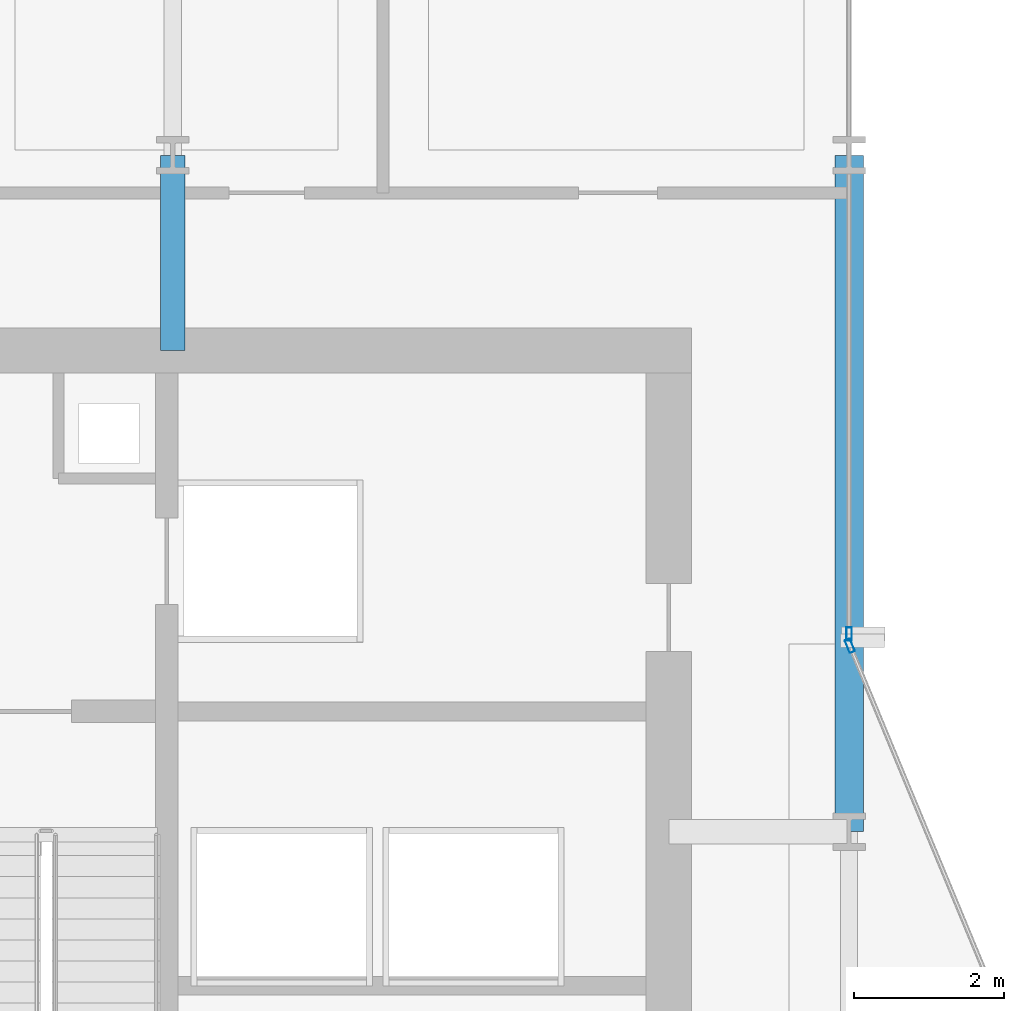
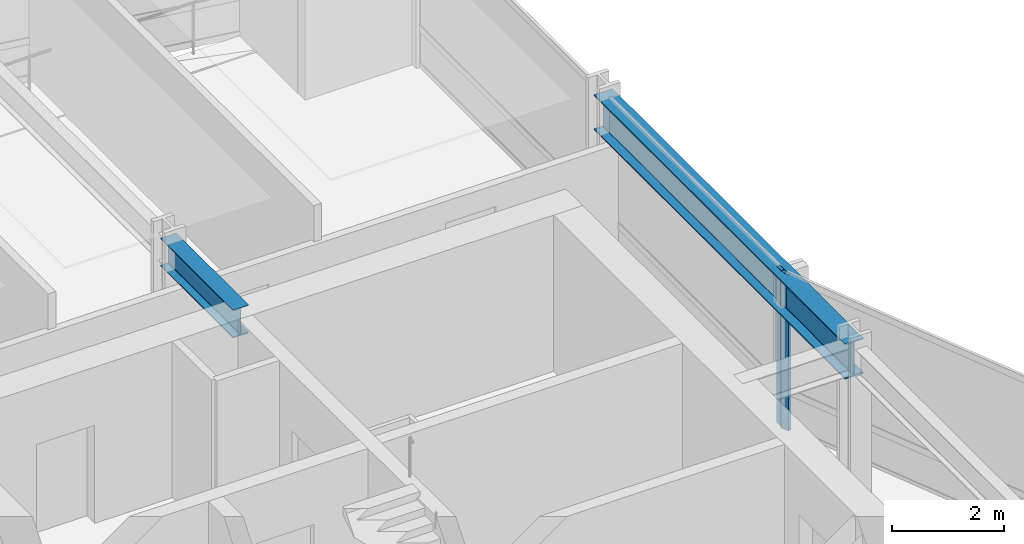
# One storey, part 21 of 34: 2 beams, 2 members, 2 elements without a shape of their own.
"""IFC4 building model written with IfcOpenShell, lengths in metres."""

import ifcopenshell
import ifcopenshell.guid

model = None  # the IFC model being written
_history = None  # IfcOwnerHistory: only IFC2X3 demands one
_inside = {}  # id of a spatial element -> (the spatial element, [elements in it])
_under = {}  # id of a project, library or spatial element -> (it, [spatial elements below it])
_declared = {}  # id of a project -> (the project, [libraries it declares])
_typed = {}  # id of a type object -> (the type object, [elements of that type])
_made_of = {}  # id of a material, layer set ... -> (it, [elements and type objects made of it])


def new_model(schema):
    """Start an empty IFC model of exactly this schema.

    Asked for "IFC4X3", IfcOpenShell would pick the latest addendum, in which some entities
    have other attributes; the version numbers below select the first issue.
    IFC2X3 requires an IfcOwnerHistory on every rooted entity: one is made here for all.
    """
    global model, _history
    if schema == "IFC4X3":
        model = ifcopenshell.file(schema_version=(4, 3, 0, 0))
    else:
        model = ifcopenshell.file(schema=schema)
    _inside.clear()
    _under.clear()
    _declared.clear()
    _typed.clear()
    _made_of.clear()
    _history = None
    if model.schema == "IFC2X3":
        org = make("IfcOrganization", Name="unknown")
        user = make(
            "IfcPersonAndOrganization",
            ThePerson=make("IfcPerson", FamilyName="unknown"),
            TheOrganization=org,
        )
        app = make(
            "IfcApplication",
            ApplicationDeveloper=org,
            Version="unknown",
            ApplicationFullName="unknown",
            ApplicationIdentifier="unknown",
        )
        _history = make(
            "IfcOwnerHistory",
            OwningUser=user,
            OwningApplication=app,
            ChangeAction="ADDED",
            CreationDate=0,
        )
    return model


def make(cls, **values):
    """One entity of the class cls with the attributes given. An attribute that is None is left unset."""
    return model.create_entity(
        cls, **{name: value for name, value in values.items() if value is not None}
    )


def rooted(cls, **values):
    """An entity with a GlobalId (a new one), such as an element, a storey or a relation."""
    return make(cls, GlobalId=ifcopenshell.guid.new(), OwnerHistory=_history, **values)


def si_unit(unit_type, name, prefix=None):
    """IfcSIUnit, for example si_unit("LENGTHUNIT", "METRE", prefix="MILLI")."""
    return make("IfcSIUnit", UnitType=unit_type, Prefix=prefix, Name=name)


def assignment(units):
    """IfcUnitAssignment: the units of a project."""
    return None if units is None else make("IfcUnitAssignment", Units=units)


def point(xyz):
    """IfcCartesianPoint."""
    return None if xyz is None else make("IfcCartesianPoint", Coordinates=xyz)


def direction(xyz):
    """IfcDirection."""
    return None if xyz is None else make("IfcDirection", DirectionRatios=xyz)


def frame(location, z_axis=None, x_axis=None):
    """IfcAxis2Placement3D, a coordinate frame: its origin and axes. An axis left out is left unset."""
    return make(
        "IfcAxis2Placement3D",
        Location=point(location),
        Axis=direction(z_axis),
        RefDirection=direction(x_axis),
    )


def frame_2d(location, x_axis=None):
    """IfcAxis2Placement2D, a coordinate frame in the plane: its origin and x axis."""
    return make(
        "IfcAxis2Placement2D", Location=point(location), RefDirection=direction(x_axis)
    )


def origin():
    """The frame at (0, 0, 0) with its axes left unset."""
    return frame((0.0, 0.0, 0.0))


def origin_2d():
    """The frame at (0, 0) in the plane with its x axis left unset."""
    return frame_2d((0.0, 0.0))


def place(relative_to, where):
    """IfcLocalPlacement: puts the frame where relative to a parent placement (None: the world)."""
    return make(
        "IfcLocalPlacement", PlacementRelTo=relative_to, RelativePlacement=where
    )


def context(
    kind, dimensions, precision=None, world=None, true_north=None, identifier=None
):
    """IfcGeometricRepresentationContext, for example the 3D "Model" context."""
    return make(
        "IfcGeometricRepresentationContext",
        ContextIdentifier=identifier,
        ContextType=kind,
        CoordinateSpaceDimension=dimensions,
        Precision=precision,
        WorldCoordinateSystem=world,
        TrueNorth=true_north,
    )


def subcontext(parent, identifier, kind, view, scale=None):
    """IfcGeometricRepresentationSubContext, for example "Body" below "Model"."""
    return make(
        "IfcGeometricRepresentationSubContext",
        ContextIdentifier=identifier,
        ContextType=kind,
        ParentContext=parent,
        TargetScale=scale,
        TargetView=view,
    )


def project(units=None, contexts=None):
    """IfcProject with its units and contexts."""
    return rooted(
        "IfcProject",
        Name="project",
        RepresentationContexts=contexts,
        UnitsInContext=assignment(units),
    )


def spatial(cls, under=None, at=None, **own):
    """A site, building, storey or space (cls), placed at a placement, below another one or the project."""
    s = rooted(cls, ObjectPlacement=at, **own)
    if under is not None:
        _under.setdefault(under.id(), (under, []))[1].append(s)
    return s


def profile(cls, at=None, kind="AREA", **sizes):
    """A parametric profile (cls). Its sizes go by their IFC names, for example OverallWidth=200.0."""
    return make(cls, ProfileType=kind, Position=at, **sizes)


def hollow_rectangle(**sizes):
    """IfcRectangleHollowProfileDef."""
    return profile("IfcRectangleHollowProfileDef", **sizes)


def i_section(**sizes):
    """IfcIShapeProfileDef."""
    return profile("IfcIShapeProfileDef", **sizes)


def extrude(swept, where, along, depth):
    """IfcExtrudedAreaSolid: the profile swept, set in the frame where, extruded along a direction by depth."""
    return make(
        "IfcExtrudedAreaSolid",
        SweptArea=swept,
        Position=where,
        ExtrudedDirection=direction(along),
        Depth=depth,
    )


def shape(context_of_items, identifier, shape_type, items):
    """IfcShapeRepresentation: the items that make up one representation, for example the "Body"."""
    return make(
        "IfcShapeRepresentation",
        ContextOfItems=context_of_items,
        RepresentationIdentifier=identifier,
        RepresentationType=shape_type,
        Items=items,
    )


def material(Name=None, Category=None):
    """IfcMaterial."""
    return make("IfcMaterial", Name=Name, Category=Category)


def layer(
    of_material, thickness, ventilated=None, Name=None, Category=None, Priority=None
):
    """IfcMaterialLayer: one layer of a wall or slab, of a material (None: an air gap)."""
    return make(
        "IfcMaterialLayer",
        Material=of_material,
        LayerThickness=thickness,
        IsVentilated=ventilated,
        Name=Name,
        Category=Category,
        Priority=Priority,
    )


def layer_set(layers, Name=None):
    """IfcMaterialLayerSet."""
    return make("IfcMaterialLayerSet", MaterialLayers=layers, LayerSetName=Name)


def material_profile(
    of_material, cross_section, Name=None, Category=None, Priority=None
):
    """IfcMaterialProfile: a cross section and its material."""
    return make(
        "IfcMaterialProfile",
        Name=Name,
        Material=of_material,
        Profile=cross_section,
        Priority=Priority,
        Category=Category,
    )


def profile_set(profiles, Name=None, composite=None):
    """IfcMaterialProfileSet."""
    return make(
        "IfcMaterialProfileSet",
        Name=Name,
        MaterialProfiles=profiles,
        CompositeProfile=composite,
    )


def made_of(thing, what):
    """Note that an element or type object is made of a material, layer set ...; save() writes the relation."""
    if what is not None:
        _made_of.setdefault(what.id(), (what, []))[1].append(thing)
    return thing


def type_object(cls, material=None, **own):
    """A type object (cls), such as IfcWallType, which elements share."""
    return made_of(rooted(cls, **own), material)


def element(
    cls,
    number,
    at=None,
    inside=None,
    cuts=None,
    type_object=None,
    material=None,
    context=None,
    identifier="Body",
    shape_type=None,
    held_by="IfcProductDefinitionShape",
    body=None,
    shapes=None,
    **own,
):
    """One element of the class cls, such as IfcWall. Its Tag is "e" and its number.

    at: its placement. inside: the storey or other place that contains it. cuts: it is an
    opening in that element (IfcRelVoidsElement). A single representation is given by context,
    identifier, shape_type and body (its items); several are given by shapes. held_by: the class
    of the entity that holds the representations. save() writes the other relations.
    """
    e = rooted(cls, Tag="e%d" % number, ObjectPlacement=at, **own)
    if body is not None:
        shapes = [shape(context, identifier, shape_type, body)]
    if shapes is not None:
        e.Representation = make(held_by, Representations=shapes)
    if inside is not None:
        _inside.setdefault(inside.id(), (inside, []))[1].append(e)
    if cuts is not None:
        rooted(
            "IfcRelVoidsElement", RelatingBuildingElement=cuts, RelatedOpeningElement=e
        )
    if type_object is not None:
        _typed.setdefault(type_object.id(), (type_object, []))[1].append(e)
    return made_of(e, material)


def aggregate(whole, parts):
    """IfcRelAggregates: a whole, such as a stair, and the parts it consists of."""
    return rooted("IfcRelAggregates", RelatingObject=whole, RelatedObjects=parts)


def save(model, path):
    """Write the relations noted so far, then the file.

    IfcRelAggregates (storeys below a building ...), IfcRelContainedInSpatialStructure (elements
    in a storey), IfcRelDefinesByType, IfcRelAssociatesMaterial and IfcRelDeclares: one each for
    every whole, place, type object, material and project.
    """
    for whole, parts in _under.values():
        aggregate(whole, parts)
    for where, things in _inside.values():
        rooted(
            "IfcRelContainedInSpatialStructure",
            RelatedElements=things,
            RelatingStructure=where,
        )
    for kind, things in _typed.values():
        rooted("IfcRelDefinesByType", RelatedObjects=things, RelatingType=kind)
    for what, things in _made_of.values():
        rooted("IfcRelAssociatesMaterial", RelatedObjects=things, RelatingMaterial=what)
    for by, libraries in _declared.values():
        rooted("IfcRelDeclares", RelatingContext=by, RelatedDefinitions=libraries)
    model.write(path)


model = new_model("IFC4")

# Units and contexts
model_context = context("Model", 3, precision=1e-05, world=origin(), true_north=direction((0.0, 1.0)))
body_context = subcontext(model_context, "Body", "Model", "MODEL_VIEW")
ifc_project = project(units=[si_unit("LENGTHUNIT", "METRE"), si_unit("AREAUNIT", "SQUARE_METRE"), si_unit("VOLUMEUNIT", "CUBIC_METRE"), si_unit("PLANEANGLEUNIT", "RADIAN"), si_unit("MASSUNIT", "GRAM", prefix="KILO")], contexts=[model_context])

# Site, building, storey
site_placement = place(None, origin())
site = spatial("IfcSite", under=ifc_project, at=site_placement, CompositionType="ELEMENT")
building_placement = place(site_placement, origin())
building = spatial("IfcBuilding", under=site, at=building_placement, Name="Solvaryn Broadcast Tower", CompositionType="ELEMENT")
storey_placement = place(building_placement, frame((0.0, 0.0, 36.0)))
storey = spatial("IfcBuildingStorey", under=building, at=storey_placement, Name="L07", CompositionType="ELEMENT", Elevation=36.0)

# Beams
ifc_material_1 = material(Name="Steel ASTM A992 Grade 50", Category="steel")
ifc_material_profile_1 = material_profile(ifc_material_1, i_section(OverallWidth=0.323974609375, OverallDepth=0.611083984375, WebThickness=0.0126953125, FlangeThickness=0.01904296875, FilletRadius=0.014892578125, at=origin_2d()))
ifc_profile_set_1 = profile_set([ifc_material_profile_1], Name="Steel ASTM A992 Grade 50")
beam_type_1 = type_object("IfcBeamType", Name="BM-B1-W24X104", PredefinedType="BEAM", material=ifc_profile_set_1)
beam_1_placement = place(storey_placement, frame((18.0, 42.39990234375, 3.114501953125), z_axis=(0.0, 1.0, 0.0), x_axis=(-1.0, 0.0, 0.0)))
element("IfcBeam", 1, at=beam_1_placement, inside=storey, type_object=beam_type_1, Name="L07 Core Tie Beam CTW3", PredefinedType="BEAM", context=body_context, shape_type="SweptSolid", body=[
    extrude(i_section(OverallWidth=0.323974609375, OverallDepth=0.611083984375, WebThickness=0.0126953125, FlangeThickness=0.01904296875, FilletRadius=0.014892578125, at=origin_2d()), origin(), (0.0, 0.0, 1.0), 2.60009765625),
])
ifc_material_2 = material(Name="Steel ASTM A992 Grade 50", Category="steel")
ifc_material_profile_2 = material_profile(ifc_material_2, i_section(OverallWidth=0.381103515625, OverallDepth=0.77294921875, WebThickness=0.0166015625, FlangeThickness=0.027099609375, FilletRadius=0.01806640625, at=origin_2d()))
ifc_profile_set_2 = profile_set([ifc_material_profile_2], Name="Steel ASTM A992 Grade 50")
beam_type_2 = type_object("IfcBeamType", Name="BM-SP1-W30X173", PredefinedType="USERDEFINED", material=ifc_profile_set_2)
beam_2_placement = place(storey_placement, frame((27.0, 36.0, 3.033447265625), z_axis=(0.0, 1.0, 0.0), x_axis=(-1.0, 0.0, 0.0)))
element("IfcBeam", 2, at=beam_2_placement, inside=storey, type_object=beam_type_2, Name="L07 Spandrel Beam Y (36-45 @ X=27)", ObjectType="SPANDREL", PredefinedType="USERDEFINED", context=body_context, shape_type="SweptSolid", body=[
    extrude(i_section(OverallWidth=0.381103515625, OverallDepth=0.77294921875, WebThickness=0.0166015625, FlangeThickness=0.027099609375, FilletRadius=0.01806640625, at=origin_2d()), origin(), (0.0, 0.0, 1.0), 9.0),
])

# Curtain wall, member
ifc_material_3 = material(Name="Aluminium and Terracotta Unitised Curtain Wall", Category="masonry")
ifc_layer = layer(ifc_material_3, 0.199951171875)
ifc_layer_set = layer_set([ifc_layer], Name="CW-SYS2-LOWMID")
curtain_wall_type = type_object("IfcCurtainWallType", Name="CW-SYS2-LOWMID", PredefinedType="NOTDEFINED", material=ifc_layer_set)
curtain_wall_1_placement = place(storey_placement, origin())
curtain_wall_1 = element("IfcCurtainWall", 3, at=curtain_wall_1_placement, inside=storey, type_object=curtain_wall_type, Name="L07 Curtain Wall IV", PredefinedType="NOTDEFINED")
ifc_material_4 = material(Name="Anodised Aluminium 6063-T6", Category="aluminium")
ifc_material_profile_3 = material_profile(ifc_material_4, hollow_rectangle(XDim=0.074951171875, YDim=0.179931640625, WallThickness=0.00390625, InnerFilletRadius=0.00390625, OuterFilletRadius=0.008056640625, at=origin_2d()))
ifc_profile_set_3 = profile_set([ifc_material_profile_3], Name="Anodised Aluminium 6063-T6")
member_type = type_object("IfcMemberType", Name="CW-MUL-180", PredefinedType="MULLION", material=ifc_profile_set_3)
member_1_placement = place(storey_placement, frame((27.0, 38.6298828125, 0.0), z_axis=(0.0, 0.0, 1.0), x_axis=(1.0, 0.0, 0.0)))
member_1 = element("IfcMember", 4, at=member_1_placement, type_object=member_type, Name="CWS2 mullion 2", PredefinedType="MULLION", context=body_context, shape_type="SweptSolid", body=[
    extrude(hollow_rectangle(XDim=0.074951171875, YDim=0.179931640625, WallThickness=0.00390625, InnerFilletRadius=0.00390625, OuterFilletRadius=0.008056640625, at=origin_2d()), origin(), (0.0, 0.0, 1.0), 3.419921875),
])
aggregate(curtain_wall_1, [member_1])

curtain_wall_2_placement = place(storey_placement, origin())
curtain_wall_2 = element("IfcCurtainWall", 5, at=curtain_wall_2_placement, inside=storey, type_object=curtain_wall_type, Name="L07 Curtain Wall CN2", PredefinedType="NOTDEFINED")
member_2_placement = place(storey_placement, frame((27.011474609375, 38.47216796875, 0.0), z_axis=(0.0, 0.0, 1.0), x_axis=(-0.923894983957, -0.382646127145, 0.0)))
member_2 = element("IfcMember", 6, at=member_2_placement, type_object=member_type, Name="CWS2 mullion 2", PredefinedType="MULLION", context=body_context, shape_type="SweptSolid", body=[
    extrude(hollow_rectangle(XDim=0.074951171875, YDim=0.179931640625, WallThickness=0.00390625, InnerFilletRadius=0.00390625, OuterFilletRadius=0.008056640625, at=origin_2d()), origin(), (0.0, 0.0, 1.0), 3.419921875),
])
aggregate(curtain_wall_2, [member_2])

save(model, "model.ifc")
